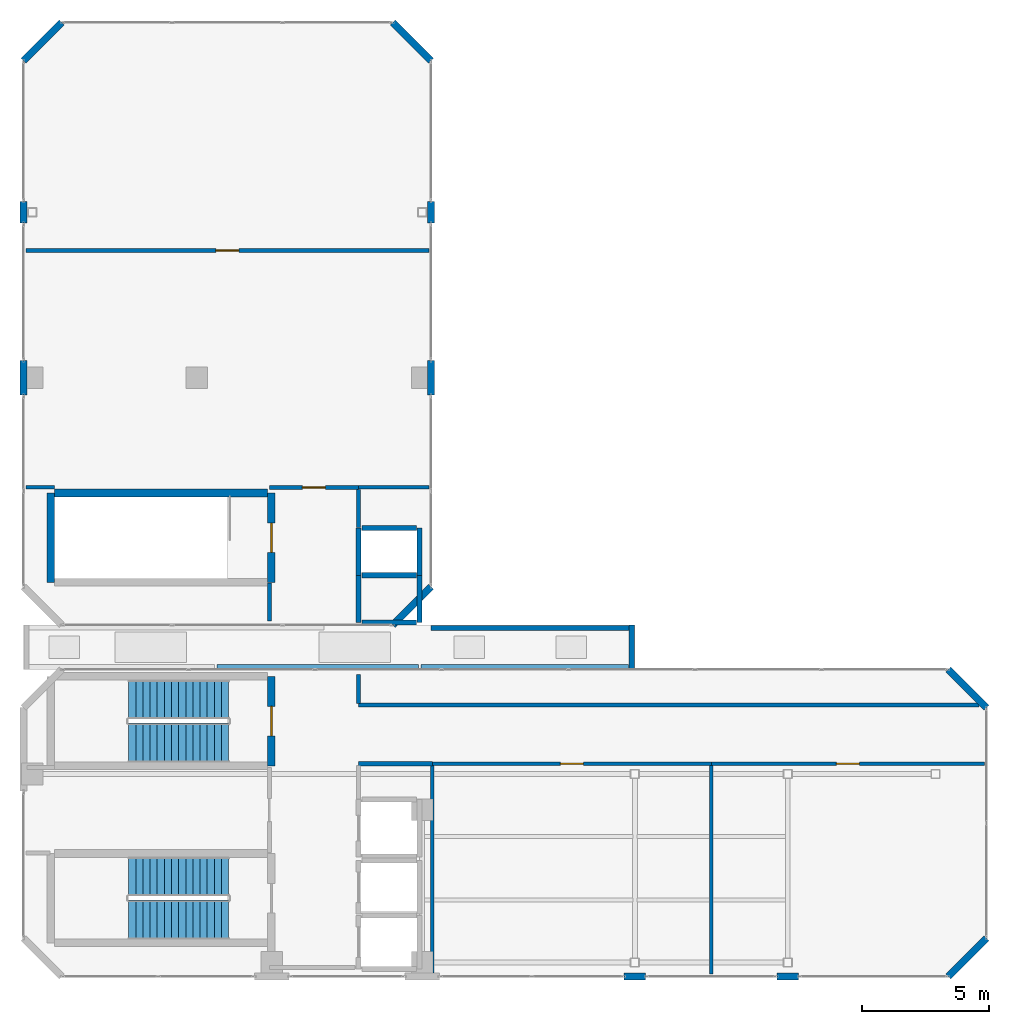
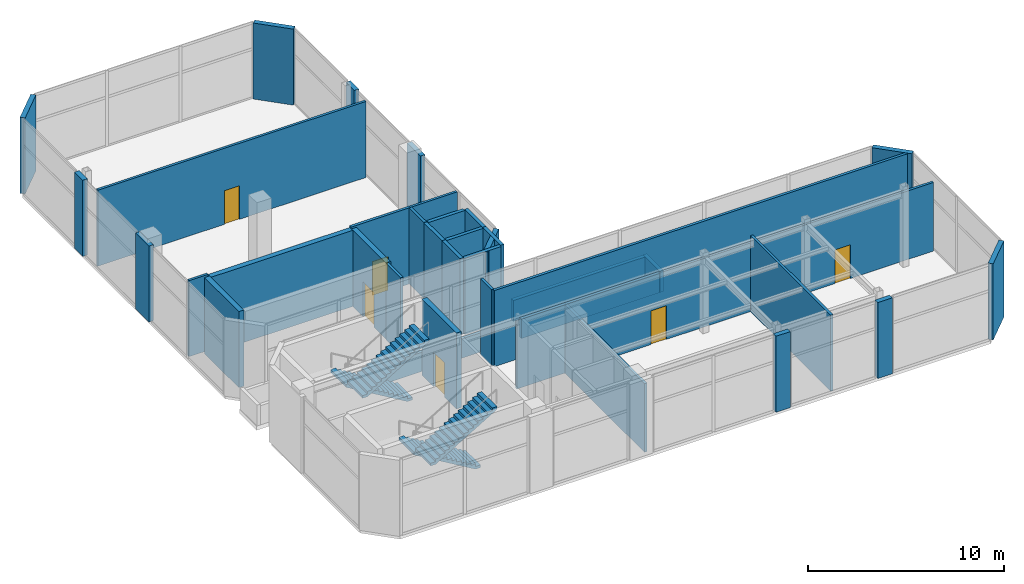
# One storey, part 17 of 18: 39 walls, 6 doors, 4 stair flights, 6 openings, 2 elements without a shape of their own.
"""IFC4 building model written with IfcOpenShell, lengths in metres."""

from ifc_helpers import new_model, si_unit, direction, frame, frame_2d, origin, place, context, subcontext, project, spatial, polyline, rectangle, outline, extrude, material, layer, layer_set, type_object, element, fill, aggregate, save


model = new_model("IFC4")

# Units and contexts
model_context = context("Model", 3, precision=1e-05, world=origin(), true_north=direction((0.0, 1.0)))
body_context = subcontext(model_context, "Body", "Model", "MODEL_VIEW")
ifc_project = project(units=[si_unit("LENGTHUNIT", "METRE"), si_unit("AREAUNIT", "SQUARE_METRE"), si_unit("VOLUMEUNIT", "CUBIC_METRE"), si_unit("PLANEANGLEUNIT", "RADIAN"), si_unit("MASSUNIT", "GRAM", prefix="KILO")], contexts=[model_context])

# Site, building, storey
site_placement = place(None, origin())
site = spatial("IfcSite", under=ifc_project, at=site_placement, CompositionType="ELEMENT")
building_placement = place(site_placement, origin())
building = spatial("IfcBuilding", under=site, at=building_placement, Name="Mawjaban Terraces University", CompositionType="ELEMENT")
storey_placement = place(building_placement, frame((0.0, 0.0, 316.699951171875)))
storey = spatial("IfcBuildingStorey", under=building, at=storey_placement, Name="L77", CompositionType="ELEMENT", Elevation=316.699951171875)

# Wall, opening, door
ifc_material_1 = material(Name="Fire-rated gypsum board on steel stud", Category="steel")
ifc_layer_1 = layer(ifc_material_1, 0.159912109375)
ifc_layer_set_1 = layer_set([ifc_layer_1], Name="Fire-rated gypsum board on steel stud")
wall_type_1 = type_object("IfcWallType", Name="CorridorPartition_160", PredefinedType="PARTITIONING", material=ifc_layer_set_1)
wall_1_placement = place(storey_placement, frame((31.64990234375, 19.199951171875, 0.0), z_axis=(0.0, 0.0, 1.0), x_axis=(1.0, 0.0, 0.0)))
wall_1 = element("IfcWall", 1, at=wall_1_placement, inside=storey, type_object=wall_type_1, Name="L77 North Peak AHU Ventilation Plant Room Partition 5", PredefinedType="PARTITIONING", context=body_context, shape_type="SweptSolid", body=[
    extrude(rectangle(XDim=3.5, YDim=0.159912109375, at=frame_2d((1.75, 0.0))), origin(), (0.0, 0.0, 1.0), 4.739990234375),
])
opening_1_placement = place(wall_1_placement, frame((1.300048828125, 0.0, 0.0)))
opening_1 = element("IfcOpeningElement", 2, at=opening_1_placement, cuts=wall_1, Name="Opening ID-090", PredefinedType="OPENING", context=body_context, shape_type="SweptSolid", body=[
    extrude(rectangle(XDim=0.89990234375, YDim=2.10009765625, at=frame_2d((0.449951171875, 1.050048828125))), frame((0.0, 0.08984375, 0.0), z_axis=(0.0, -1.0, 0.0), x_axis=(1.0, 0.0, 0.0)), (0.0, 0.0, 1.0), 0.179931640625),
])
ifc_material_2 = material(Name="Powder-coated steel frame and solid acoustic timber leaf", Category="steel")
door_type_1 = type_object("IfcDoorType", Name="OfficeDoor_900x2100", OperationType="NOTDEFINED", PredefinedType="DOOR", material=ifc_material_2)
door_1_placement = place(opening_1_placement, origin())
door_1 = element("IfcDoor", 3, at=door_1_placement, inside=storey, type_object=door_type_1, Name="L77 North Peak AHU Ventilation Plant Room Door", OperationType="SINGLE_SWING_LEFT", OverallHeight=2.10009765625, OverallWidth=0.89990234375, PredefinedType="DOOR", context=body_context, shape_type="SweptSolid", body=[
    extrude(rectangle(XDim=0.89990234375, YDim=2.10009765625, at=frame_2d((0.449951171875, 1.050048828125))), frame((0.0, 0.02490234375, 0.0), z_axis=(0.0, -1.0, 0.0), x_axis=(1.0, 0.0, 0.0)), (0.0, 0.0, 1.0), 0.050048828125),
])
fill(opening_1, door_1)

# Walls
wall_2_placement = place(storey_placement, frame((35.14990234375, 8.35009765625, 0.0), z_axis=(0.0, 0.0, 1.0), x_axis=(1.0, 0.0, 0.0)))
element("IfcWall", 4, at=wall_2_placement, inside=storey, type_object=wall_type_1, Name="L77 Crown Plant Service Corridor Partition 6", PredefinedType="PARTITIONING", context=body_context, shape_type="SweptSolid", body=[
    extrude(rectangle(XDim=2.900146484375, YDim=0.159912109375, at=frame_2d((1.4501953125, 0.0))), origin(), (0.0, 0.0, 1.0), 4.277099609375),
])
wall_3_placement = place(storey_placement, frame((59.512939453125, 10.64990234375, 0.0), z_axis=(0.0, 0.0, 1.0), x_axis=(-1.0, 0.0, 0.0)))
element("IfcWall", 5, at=wall_3_placement, inside=storey, type_object=wall_type_1, Name="L77 Crown Plant Service Corridor Partition 11", PredefinedType="PARTITIONING", context=body_context, shape_type="SweptSolid", body=[
    extrude(rectangle(XDim=24.363037109375, YDim=0.159912109375, at=frame_2d((12.181640625, 0.0))), origin(), (0.0, 0.0, 1.0), 4.739990234375),
])
wall_4_placement = place(storey_placement, frame((31.64990234375, 15.43994140625, 0.0), z_axis=(0.0, 0.0, 1.0), x_axis=(0.0, -1.0, 0.0)))
element("IfcWall", 6, at=wall_4_placement, inside=storey, type_object=wall_type_1, Name="L77 North Peak Stair and Shuttle Plant Lobby Partition 13", PredefinedType="PARTITIONING", context=body_context, shape_type="SweptSolid", body=[
    extrude(rectangle(XDim=1.489990234375, YDim=0.159912109375, at=frame_2d((0.7451171875, 0.0))), origin(), (0.0, 0.0, 1.0), 4.739990234375),
])
wall_5_placement = place(storey_placement, frame((35.14990234375, 10.72509765625, 0.0), z_axis=(0.0, 0.0, 1.0), x_axis=(0.0, 1.0, 0.0)))
element("IfcWall", 7, at=wall_5_placement, inside=storey, type_object=wall_type_1, Name="L77 East Peak Stair and Lift Plant Lobby Partition 15", PredefinedType="PARTITIONING", context=body_context, shape_type="SweptSolid", body=[
    extrude(rectangle(XDim=1.125, YDim=0.159912109375, at=frame_2d((0.5625, 0.0))), origin(), (0.0, 0.0, 1.0), 4.739990234375),
])
wall_6_placement = place(storey_placement, frame((35.14990234375, 17.6201171875, 0.0), z_axis=(0.0, 0.0, 1.0), x_axis=(0.0, 1.0, 0.0)))
element("IfcWall", 8, at=wall_6_placement, inside=storey, type_object=wall_type_1, Name="L77 North Peak Stair and Shuttle Plant Lobby Partition 16", PredefinedType="PARTITIONING", context=body_context, shape_type="SweptSolid", body=[
    extrude(rectangle(XDim=1.5048828125, YDim=0.159912109375, at=frame_2d((0.75244140625, 0.0))), origin(), (0.0, 0.0, 1.0), 4.739990234375),
])
ifc_material_3 = material(Name="Insulated terracotta rainscreen on concrete backup C40/50", Category="masonry")
ifc_layer_2 = layer(ifc_material_3, 0.27490234375)
ifc_layer_set_2 = layer_set([ifc_layer_2], Name="Insulated terracotta rainscreen on concrete backup C40/50")
wall_type_2 = type_object("IfcWallType", Name="ExtTerracottaWall_275", PredefinedType="SOLIDWALL", material=ifc_layer_set_2)
for number, where, z_axis, x_axis, name in (
    (9, (45.574951171875, 0.0, 0.0), (0.0, 0.0, 1.0), (1.0, 0.0, 0.0), "L77 Exterior Terracotta Pier Wall 1.3"),
    (10, (51.574951171875, 0.0, 0.0), (0.0, 0.0, 1.0), (1.0, 0.0, 0.0), "L77 Exterior Terracotta Pier Wall 1.4"),
):
    element("IfcWall", number, at=place(storey_placement, frame(where, z_axis=z_axis, x_axis=x_axis)), inside=storey, type_object=wall_type_2, Name=name, PredefinedType="SOLIDWALL", context=body_context, shape_type="SweptSolid", body=[
        extrude(rectangle(XDim=0.85009765625, YDim=0.27490234375, at=frame_2d((0.425048828125, 0.0))), origin(), (0.0, 0.0, 1.0), 4.739990234375),
    ])
for number, where, z_axis, x_axis, name in (
    (11, (58.300048828125, 0.0, 0.0), (0.0, 0.0, 1.0), (0.707106781187, 0.707106781187, 0.0), "L77 Exterior Terracotta Wall 2"),
    (12, (59.800048828125, 10.550048828125, 0.0), (0.0, 0.0, 1.0), (-0.707106781187, 0.707106781187, 0.0), "L77 Exterior Terracotta Wall 4"),
    (13, (36.5, 13.800048828125, 0.0), (0.0, 0.0, 1.0), (0.707106781187, 0.707106781187, 0.0), "L77 Exterior Terracotta Wall 2"),
):
    element("IfcWall", number, at=place(storey_placement, frame(where, z_axis=z_axis, x_axis=x_axis)), inside=storey, type_object=wall_type_2, Name=name, PredefinedType="SOLIDWALL", context=body_context, shape_type="SweptSolid", body=[
        extrude(rectangle(XDim=2.121337890625, YDim=0.27490234375, at=frame_2d((1.060546875, 0.0))), origin(), (0.0, 0.0, 1.0), 4.739990234375),
    ])
wall_7_placement = place(storey_placement, frame((38.0, 22.824951171875, 0.0), z_axis=(0.0, 0.0, 1.0), x_axis=(0.0, 1.0, 0.0)))
element("IfcWall", 14, at=wall_7_placement, inside=storey, type_object=wall_type_2, Name="L77 Exterior Terracotta Pier Wall 3.1", PredefinedType="SOLIDWALL", context=body_context, shape_type="SweptSolid", body=[
    extrude(rectangle(XDim=1.35009765625, YDim=0.27490234375, at=frame_2d((0.675048828125, 0.0))), origin(), (0.0, 0.0, 1.0), 4.739990234375),
])
wall_8_placement = place(storey_placement, frame((38.0, 29.574951171875, 0.0), z_axis=(0.0, 0.0, 1.0), x_axis=(0.0, 1.0, 0.0)))
element("IfcWall", 15, at=wall_8_placement, inside=storey, type_object=wall_type_2, Name="L77 Exterior Terracotta Pier Wall 3.2", PredefinedType="SOLIDWALL", context=body_context, shape_type="SweptSolid", body=[
    extrude(rectangle(XDim=0.85009765625, YDim=0.27490234375, at=frame_2d((0.425048828125, 0.0))), origin(), (0.0, 0.0, 1.0), 4.739990234375),
])
for number, where, z_axis, x_axis, name in (
    (16, (38.0, 35.949951171875, 0.0), (0.0, 0.0, 1.0), (-0.707106781187, 0.707106781187, 0.0), "L77 Exterior Terracotta Wall 4"),
    (17, (23.5, 37.449951171875, 0.0), (0.0, 0.0, 1.0), (-0.707106781187, -0.707106781187, 0.0), "L77 Exterior Terracotta Wall 6"),
):
    element("IfcWall", number, at=place(storey_placement, frame(where, z_axis=z_axis, x_axis=x_axis)), inside=storey, type_object=wall_type_2, Name=name, PredefinedType="SOLIDWALL", context=body_context, shape_type="SweptSolid", body=[
        extrude(rectangle(XDim=2.121337890625, YDim=0.27490234375, at=frame_2d((1.060546875, 0.0))), origin(), (0.0, 0.0, 1.0), 4.739990234375),
    ])
wall_9_placement = place(storey_placement, frame((22.0, 30.425048828125, 0.0), z_axis=(0.0, 0.0, 1.0), x_axis=(0.0, -1.0, 0.0)))
element("IfcWall", 18, at=wall_9_placement, inside=storey, type_object=wall_type_2, Name="L77 Exterior Terracotta Pier Wall 7.1", PredefinedType="SOLIDWALL", context=body_context, shape_type="SweptSolid", body=[
    extrude(rectangle(XDim=0.85009765625, YDim=0.27490234375, at=frame_2d((0.425048828125, 0.0))), origin(), (0.0, 0.0, 1.0), 4.739990234375),
])
wall_10_placement = place(storey_placement, frame((22.0, 24.175048828125, 0.0), z_axis=(0.0, 0.0, 1.0), x_axis=(0.0, -1.0, 0.0)))
element("IfcWall", 19, at=wall_10_placement, inside=storey, type_object=wall_type_2, Name="L77 Exterior Terracotta Pier Wall 7.2", PredefinedType="SOLIDWALL", context=body_context, shape_type="SweptSolid", body=[
    extrude(rectangle(XDim=1.35009765625, YDim=0.27490234375, at=frame_2d((0.675048828125, 0.0))), origin(), (0.0, 0.0, 1.0), 4.739990234375),
])
ifc_material_4 = material(Name="Concrete C40/50", Category="concrete")
ifc_layer_3 = layer(ifc_material_4, 0.199951171875)
ifc_layer_set_3 = layer_set([ifc_layer_3], Name="Concrete C40/50")
wall_type_3 = type_object("IfcWallType", Name="FireLobbyWall_200", PredefinedType="SOLIDWALL", material=ifc_layer_set_3)
for number, where, z_axis, x_axis, name in (
    (20, (35.14990234375, 15.75, 0.0), (0.0, 0.0, 1.0), (0.0, -1.0, 0.0), "L77 Lift OL-1 Hoistway Wall West"),
    (21, (37.550048828125, 13.89990234375, 0.0), (0.0, 0.0, 1.0), (0.0, 1.0, 0.0), "L77 Lift OL-1 Hoistway Wall East"),
):
    element("IfcWall", number, at=place(storey_placement, frame(where, z_axis=z_axis, x_axis=x_axis)), inside=storey, type_object=wall_type_3, Name=name, PredefinedType="SOLIDWALL", context=body_context, shape_type="SweptSolid", body=[
        extrude(rectangle(XDim=1.85009765625, YDim=0.199951171875, at=frame_2d((0.925048828125, 0.0))), origin(), (0.0, 0.0, 1.0), 4.739990234375),
    ])
for number, where, z_axis, x_axis, name in (
    (22, (35.280029296875, 13.89990234375, 0.0), (0.0, 0.0, 1.0), (1.0, 0.0, 0.0), "L77 Lift OL-1 Hoistway Wall South"),
    (23, (37.419921875, 15.75, 0.0), (0.0, 0.0, 1.0), (-1.0, 0.0, 0.0), "L77 Lift OL-1 Hoistway Wall North"),
):
    element("IfcWall", number, at=place(storey_placement, frame(where, z_axis=z_axis, x_axis=x_axis)), inside=storey, type_object=wall_type_3, Name=name, PredefinedType="SOLIDWALL", context=body_context, shape_type="SweptSolid", body=[
        extrude(rectangle(XDim=2.139892578125, YDim=0.199951171875, at=frame_2d((1.06982421875, 0.0))), origin(), (0.0, 0.0, 1.0), 4.739990234375),
    ])
for number, where, z_axis, x_axis, name in (
    (24, (35.14990234375, 17.60009765625, 0.0), (0.0, 0.0, 1.0), (0.0, -1.0, 0.0), "L77 Lift OL-2 Hoistway Wall West"),
    (25, (37.550048828125, 15.75, 0.0), (0.0, 0.0, 1.0), (0.0, 1.0, 0.0), "L77 Lift OL-2 Hoistway Wall East"),
):
    element("IfcWall", number, at=place(storey_placement, frame(where, z_axis=z_axis, x_axis=x_axis)), inside=storey, type_object=wall_type_3, Name=name, PredefinedType="SOLIDWALL", context=body_context, shape_type="SweptSolid", body=[
        extrude(rectangle(XDim=1.85009765625, YDim=0.199951171875, at=frame_2d((0.925048828125, 0.0))), origin(), (0.0, 0.0, 1.0), 4.739990234375),
    ])
wall_11_placement = place(storey_placement, frame((37.419921875, 17.60009765625, 0.0), z_axis=(0.0, 0.0, 1.0), x_axis=(-1.0, 0.0, 0.0)))
element("IfcWall", 26, at=wall_11_placement, inside=storey, type_object=wall_type_3, Name="L77 Lift OL-2 Hoistway Wall North", PredefinedType="SOLIDWALL", context=body_context, shape_type="SweptSolid", body=[
    extrude(rectangle(XDim=2.139892578125, YDim=0.199951171875, at=frame_2d((1.06982421875, 0.0))), origin(), (0.0, 0.0, 1.0), 4.739990234375),
])
ifc_material_5 = material(Name="Moisture-resistant gypsum board on steel stud", Category="steel")
ifc_layer_4 = layer(ifc_material_5, 0.14501953125)
ifc_layer_set_4 = layer_set([ifc_layer_4], Name="Moisture-resistant gypsum board on steel stud")
wall_type_4 = type_object("IfcWallType", Name="LabPartition_145", PredefinedType="PARTITIONING", material=ifc_layer_set_4)
wall_12_placement = place(storey_placement, frame((22.090087890625, 19.199951171875, 0.0), z_axis=(0.0, 0.0, 1.0), x_axis=(1.0, 0.0, 0.0)))
element("IfcWall", 27, at=wall_12_placement, inside=storey, type_object=wall_type_4, Name="L77 North Peak AHU Ventilation Plant Room Partition 2", PredefinedType="PARTITIONING", context=body_context, shape_type="SweptSolid", body=[
    extrude(rectangle(XDim=1.1298828125, YDim=0.14501953125, at=frame_2d((0.56494140625, 0.0))), origin(), (0.0, 0.0, 1.0), 4.739990234375),
])
wall_13_placement = place(storey_placement, frame((35.14990234375, 19.199951171875, 0.0), z_axis=(0.0, 0.0, 1.0), x_axis=(1.0, 0.0, 0.0)))
element("IfcWall", 28, at=wall_13_placement, inside=storey, type_object=wall_type_4, Name="L77 North Peak AHU Ventilation Plant Room Partition 7", PredefinedType="PARTITIONING", context=body_context, shape_type="SweptSolid", body=[
    extrude(rectangle(XDim=2.760009765625, YDim=0.14501953125, at=frame_2d((1.3798828125, 0.0))), origin(), (0.0, 0.0, 1.0), 4.739990234375),
])

# Wall, opening, door
wall_14_placement = place(storey_placement, frame((37.909912109375, 28.5, 0.0), z_axis=(0.0, 0.0, 1.0), x_axis=(-1.0, 0.0, 0.0)))
wall_14 = element("IfcWall", 29, at=wall_14_placement, inside=storey, type_object=wall_type_4, Name="L77 North Peak AHU Ventilation Plant Room Partition 8", PredefinedType="PARTITIONING", context=body_context, shape_type="SweptSolid", body=[
    extrude(rectangle(XDim=15.81982421875, YDim=0.14501953125, at=frame_2d((7.909912109375, 0.0))), origin(), (0.0, 0.0, 1.0), 4.739990234375),
])
opening_2_placement = place(wall_14_placement, frame((7.4599609375, 0.0, 0.0)))
opening_2 = element("IfcOpeningElement", 30, at=opening_2_placement, cuts=wall_14, Name="Opening ID-090", PredefinedType="OPENING", context=body_context, shape_type="SweptSolid", body=[
    extrude(rectangle(XDim=0.89990234375, YDim=2.10009765625, at=frame_2d((0.449951171875, 1.050048828125))), frame((0.0, 0.08251953125, 0.0), z_axis=(0.0, -1.0, 0.0), x_axis=(1.0, 0.0, 0.0)), (0.0, 0.0, 1.0), 0.1650390625),
])
door_2_placement = place(opening_2_placement, origin())
door_2 = element("IfcDoor", 31, at=door_2_placement, inside=storey, type_object=door_type_1, Name="L77 North Peak Makeup Water and Pump Room Door", OperationType="SINGLE_SWING_RIGHT", OverallHeight=2.10009765625, OverallWidth=0.89990234375, PredefinedType="DOOR", context=body_context, shape_type="SweptSolid", body=[
    extrude(rectangle(XDim=0.89990234375, YDim=2.10009765625, at=frame_2d((0.449951171875, 1.050048828125))), frame((0.0, 0.02490234375, 0.0), z_axis=(0.0, -1.0, 0.0), x_axis=(1.0, 0.0, 0.0)), (0.0, 0.0, 1.0), 0.050048828125),
])
fill(opening_2, door_2)

wall_15_placement = place(storey_placement, frame((38.050048828125, 8.35009765625, 0.0), z_axis=(0.0, 0.0, 1.0), x_axis=(1.0, 0.0, 0.0)))
wall_15 = element("IfcWall", 32, at=wall_15_placement, inside=storey, type_object=wall_type_4, Name="L77 Crown Plant Service Corridor Partition 9", PredefinedType="PARTITIONING", context=body_context, shape_type="SweptSolid", body=[
    extrude(rectangle(XDim=10.949951171875, YDim=0.14501953125, at=frame_2d((5.47509765625, 0.0))), origin(), (0.0, 0.0, 1.0), 4.277099609375),
])
opening_3_placement = place(wall_15_placement, frame((5.02490234375, 0.0, 0.0)))
opening_3 = element("IfcOpeningElement", 33, at=opening_3_placement, cuts=wall_15, Name="Opening ID-090", PredefinedType="OPENING", context=body_context, shape_type="SweptSolid", body=[
    extrude(rectangle(XDim=0.89990234375, YDim=2.10009765625, at=frame_2d((0.449951171875, 1.050048828125))), frame((0.0, 0.08251953125, 0.0), z_axis=(0.0, -1.0, 0.0), x_axis=(1.0, 0.0, 0.0)), (0.0, 0.0, 1.0), 0.1650390625),
])
door_3_placement = place(opening_3_placement, origin())
door_3 = element("IfcDoor", 34, at=door_3_placement, inside=storey, type_object=door_type_1, Name="L77 Crown Chiller and Cooling Plant Room Door", OperationType="SINGLE_SWING_LEFT", OverallHeight=2.10009765625, OverallWidth=0.89990234375, PredefinedType="DOOR", context=body_context, shape_type="SweptSolid", body=[
    extrude(rectangle(XDim=0.89990234375, YDim=2.10009765625, at=frame_2d((0.449951171875, 1.050048828125))), frame((0.0, 0.02490234375, 0.0), z_axis=(0.0, -1.0, 0.0), x_axis=(1.0, 0.0, 0.0)), (0.0, 0.0, 1.0), 0.050048828125),
])
fill(opening_3, door_3)

wall_16_placement = place(storey_placement, frame((49.0, 8.35009765625, 0.0), z_axis=(0.0, 0.0, 1.0), x_axis=(1.0, 0.0, 0.0)))
wall_16 = element("IfcWall", 35, at=wall_16_placement, inside=storey, type_object=wall_type_4, Name="L77 Crown Plant Service Corridor Partition 10", PredefinedType="PARTITIONING", context=body_context, shape_type="SweptSolid", body=[
    extrude(rectangle(XDim=10.719970703125, YDim=0.14501953125, at=frame_2d((5.35986328125, 0.0))), origin(), (0.0, 0.0, 1.0), 4.277099609375),
])
opening_4_placement = place(wall_16_placement, frame((4.909912109375, 0.0, 0.0)))
opening_4 = element("IfcOpeningElement", 36, at=opening_4_placement, cuts=wall_16, Name="Opening ID-090", PredefinedType="OPENING", context=body_context, shape_type="SweptSolid", body=[
    extrude(rectangle(XDim=0.89990234375, YDim=2.10009765625, at=frame_2d((0.449951171875, 1.050048828125))), frame((0.0, 0.08251953125, 0.0), z_axis=(0.0, -1.0, 0.0), x_axis=(1.0, 0.0, 0.0)), (0.0, 0.0, 1.0), 0.1650390625),
])
door_4_placement = place(opening_4_placement, origin())
door_4 = element("IfcDoor", 37, at=door_4_placement, inside=storey, type_object=door_type_1, Name="L77 Crown Emergency Switchgear and Fan Room Door", OperationType="SINGLE_SWING_RIGHT", OverallHeight=2.10009765625, OverallWidth=0.89990234375, PredefinedType="DOOR", context=body_context, shape_type="SweptSolid", body=[
    extrude(rectangle(XDim=0.89990234375, YDim=2.10009765625, at=frame_2d((0.449951171875, 1.050048828125))), frame((0.0, 0.02490234375, 0.0), z_axis=(0.0, -1.0, 0.0), x_axis=(1.0, 0.0, 0.0)), (0.0, 0.0, 1.0), 0.050048828125),
])
fill(opening_4, door_4)

# Walls
wall_17_placement = place(storey_placement, frame((38.050048828125, 8.27490234375, 0.0), z_axis=(0.0, 0.0, 1.0), x_axis=(0.0, -1.0, 0.0)))
element("IfcWall", 38, at=wall_17_placement, inside=storey, type_object=wall_type_4, Name="L77 Crown Chiller and Cooling Plant Room Partition 17", PredefinedType="PARTITIONING", context=body_context, shape_type="SweptSolid", body=[
    extrude(rectangle(XDim=8.141845703125, YDim=0.14501953125, at=frame_2d((4.07080078125, 0.0))), origin(), (0.0, 0.0, 1.0), 4.277099609375),
])
wall_18_placement = place(storey_placement, frame((49.0, 0.090087890625, 0.0), z_axis=(0.0, 0.0, 1.0), x_axis=(0.0, 1.0, 0.0)))
element("IfcWall", 39, at=wall_18_placement, inside=storey, type_object=wall_type_4, Name="L77 Crown Chiller and Cooling Plant Room Partition 18", PredefinedType="PARTITIONING", context=body_context, shape_type="SweptSolid", body=[
    extrude(rectangle(XDim=8.19189453125, YDim=0.14501953125, at=frame_2d((4.095947265625, 0.0))), origin(), (0.0, 0.0, 1.0), 4.739990234375),
])
ifc_material_6 = material(Name="Architectural glazed terracotta parapet", Category="masonry")
ifc_layer_5 = layer(ifc_material_6, 0.18994140625)
ifc_layer_set_5 = layer_set([ifc_layer_5], Name="Architectural glazed terracotta parapet")
wall_type_5 = type_object("IfcWallType", Name="ParapetWall_190", PredefinedType="PARAPET", material=ifc_layer_set_5)
wall_19_placement = place(storey_placement, frame((29.60009765625, 12.14501953125, 0.0), z_axis=(0.0, 0.0, 1.0), x_axis=(1.0, 0.0, 0.0)))
element("IfcWall", 40, at=wall_19_placement, inside=storey, type_object=wall_type_5, Name="L77 Sky-Slot Kerb Parapet 2", PredefinedType="PARAPET", context=body_context, shape_type="SweptSolid", body=[
    extrude(rectangle(XDim=7.89990234375, YDim=0.18994140625, at=frame_2d((3.949951171875, 0.0))), origin(), (0.0, 0.0, 1.0), 1.199951171875),
])
wall_20_placement = place(storey_placement, frame((37.60009765625, 12.14501953125, 0.0), z_axis=(0.0, 0.0, 1.0), x_axis=(1.0, 0.0, 0.0)))
element("IfcWall", 41, at=wall_20_placement, inside=storey, type_object=wall_type_5, Name="L77 Sky-Slot Kerb Parapet 3", PredefinedType="PARAPET", context=body_context, shape_type="SweptSolid", body=[
    extrude(rectangle(XDim=8.14990234375, YDim=0.18994140625, at=frame_2d((4.074951171875, 0.0))), origin(), (0.0, 0.0, 1.0), 1.199951171875),
])
ifc_layer_6 = layer(ifc_material_6, 0.215087890625)
ifc_layer_set_6 = layer_set([ifc_layer_6], Name="Architectural glazed terracotta parapet")
wall_type_6 = type_object("IfcWallType", Name="ParapetWall_215", PredefinedType="PARAPET", material=ifc_layer_set_6)
wall_21_placement = place(storey_placement, frame((45.8798828125, 12.050048828125, 0.0), z_axis=(0.0, 0.0, 1.0), x_axis=(0.0, 1.0, 0.0)))
element("IfcWall", 42, at=wall_21_placement, inside=storey, type_object=wall_type_6, Name="L77 Sky-Slot East Parapet Wall", PredefinedType="PARAPET", context=body_context, shape_type="SweptSolid", body=[
    extrude(rectangle(XDim=1.75, YDim=0.215087890625, at=frame_2d((0.875, 0.0))), origin(), (0.0, 0.0, 1.0), 1.300048828125),
])
wall_22_placement = place(storey_placement, frame((38.0, 13.679931640625, 0.0), z_axis=(0.0, 0.0, 1.0), x_axis=(1.0, 0.0, 0.0)))
element("IfcWall", 43, at=wall_22_placement, inside=storey, type_object=wall_type_6, Name="L77 Sky-Slot North Parapet Wall", PredefinedType="PARAPET", context=body_context, shape_type="SweptSolid", body=[
    extrude(rectangle(XDim=7.8798828125, YDim=0.215087890625, at=frame_2d((3.93994140625, 0.0))), origin(), (0.0, 0.0, 1.0), 1.300048828125),
])
ifc_material_7 = material(Name="Concrete C60/75", Category="concrete")
ifc_layer_7 = layer(ifc_material_7, 0.300048828125)
ifc_layer_set_7 = layer_set([ifc_layer_7], Name="Concrete C60/75")
wall_type_7 = type_object("IfcWallType", Name="StairShaftWall_300", PredefinedType="SHEAR", material=ifc_layer_set_7)
wall_23_placement = place(storey_placement, frame((31.580078125, 18.97998046875, 0.0), z_axis=(0.0, 0.0, 1.0), x_axis=(-1.0, 0.0, 0.0)))
element("IfcWall", 44, at=wall_23_placement, inside=storey, type_object=wall_type_7, Name="L77 ST-2 Stair Shaft Wall 1", PredefinedType="SHEAR", context=body_context, shape_type="SweptSolid", body=[
    extrude(rectangle(XDim=8.360107421875, YDim=0.300048828125, at=frame_2d((4.18017578125, 0.0))), origin(), (0.0, 0.0, 1.0), 4.739990234375),
])
wall_24_placement = place(storey_placement, frame((23.070068359375, 18.97998046875, 0.0), z_axis=(0.0, 0.0, 1.0), x_axis=(0.0, -1.0, 0.0)))
element("IfcWall", 45, at=wall_24_placement, inside=storey, type_object=wall_type_7, Name="L77 ST-2 Stair Shaft Wall 2", PredefinedType="SHEAR", context=body_context, shape_type="SweptSolid", body=[
    extrude(rectangle(XDim=3.510009765625, YDim=0.300048828125, at=frame_2d((1.7548828125, 0.0))), origin(), (0.0, 0.0, 1.0), 4.739990234375),
])

# Wall, opening, door
wall_25_placement = place(storey_placement, frame((31.72998046875, 15.469970703125, 0.0), z_axis=(0.0, 0.0, 1.0), x_axis=(0.0, 1.0, 0.0)))
wall_25 = element("IfcWall", 46, at=wall_25_placement, inside=storey, type_object=wall_type_7, Name="L77 ST-2 Stair Shaft Wall 4", PredefinedType="SHEAR", context=body_context, shape_type="SweptSolid", body=[
    extrude(rectangle(XDim=3.510009765625, YDim=0.300048828125, at=frame_2d((1.7548828125, 0.0))), origin(), (0.0, 0.0, 1.0), 4.739990234375),
])
opening_5_placement = place(wall_25_placement, frame((1.179931640625, 0.0, 0.0)))
opening_5 = element("IfcOpeningElement", 47, at=opening_5_placement, cuts=wall_25, Name="Opening FD-115", PredefinedType="OPENING", context=body_context, shape_type="SweptSolid", body=[
    extrude(rectangle(XDim=1.14990234375, YDim=2.14990234375, at=frame_2d((0.574951171875, 1.074951171875))), frame((0.0, 0.159912109375, 0.0), z_axis=(0.0, -1.0, 0.0), x_axis=(1.0, 0.0, 0.0)), (0.0, 0.0, 1.0), 0.320068359375),
])
ifc_material_8 = material(Name="Powder-coated steel frame and fire-rated steel-faced leaf", Category="steel")
door_type_2 = type_object("IfcDoorType", Name="FireStairDoor_1150x2150", OperationType="NOTDEFINED", PredefinedType="DOOR", material=ifc_material_8)
door_5_placement = place(opening_5_placement, origin())
door_5 = element("IfcDoor", 48, at=door_5_placement, inside=storey, type_object=door_type_2, Name="L77 ST-2 Pressurised Stair Fire Door", OperationType="SINGLE_SWING_RIGHT", OverallHeight=2.14990234375, OverallWidth=1.14990234375, PredefinedType="DOOR", context=body_context, shape_type="SweptSolid", body=[
    extrude(rectangle(XDim=1.14990234375, YDim=2.14990234375, at=frame_2d((0.574951171875, 1.074951171875))), frame((0.0, 0.02490234375, 0.0), z_axis=(0.0, -1.0, 0.0), x_axis=(1.0, 0.0, 0.0)), (0.0, 0.0, 1.0), 0.050048828125),
])
fill(opening_5, door_5)

wall_26_placement = place(storey_placement, frame((31.72998046875, 8.27001953125, 0.0), z_axis=(0.0, 0.0, 1.0), x_axis=(0.0, 1.0, 0.0)))
wall_26 = element("IfcWall", 49, at=wall_26_placement, inside=storey, type_object=wall_type_7, Name="L77 ST-3 Stair Shaft Wall 4", PredefinedType="SHEAR", context=body_context, shape_type="SweptSolid", body=[
    extrude(rectangle(XDim=3.510009765625, YDim=0.300048828125, at=frame_2d((1.7548828125, 0.0))), origin(), (0.0, 0.0, 1.0), 4.739990234375),
])
opening_6_placement = place(wall_26_placement, frame((1.179931640625, 0.0, 0.0)))
opening_6 = element("IfcOpeningElement", 50, at=opening_6_placement, cuts=wall_26, Name="Opening FD-115", PredefinedType="OPENING", context=body_context, shape_type="SweptSolid", body=[
    extrude(rectangle(XDim=1.14990234375, YDim=2.14990234375, at=frame_2d((0.574951171875, 1.074951171875))), frame((0.0, 0.159912109375, 0.0), z_axis=(0.0, -1.0, 0.0), x_axis=(1.0, 0.0, 0.0)), (0.0, 0.0, 1.0), 0.320068359375),
])
door_6_placement = place(opening_6_placement, origin())
door_6 = element("IfcDoor", 51, at=door_6_placement, inside=storey, type_object=door_type_2, Name="L77 ST-3 Pressurised Stair Fire Door", OperationType="SINGLE_SWING_LEFT", OverallHeight=2.14990234375, OverallWidth=1.14990234375, PredefinedType="DOOR", context=body_context, shape_type="SweptSolid", body=[
    extrude(rectangle(XDim=1.14990234375, YDim=2.14990234375, at=frame_2d((0.574951171875, 1.074951171875))), frame((0.0, 0.02490234375, 0.0), z_axis=(0.0, -1.0, 0.0), x_axis=(1.0, 0.0, 0.0)), (0.0, 0.0, 1.0), 0.050048828125),
])
fill(opening_6, door_6)

# Stair, stair flights
stair_type = type_object("IfcStairType", Name="Stair_Core1550_H50", PredefinedType="HALF_TURN_STAIR", material=ifc_material_4)
stair_1_placement = place(storey_placement, origin())
stair_1 = element("IfcStair", 52, at=stair_1_placement, inside=storey, type_object=stair_type, Name="L77 Core Exit Stair 1", PredefinedType="HALF_TURN_STAIR")
stair_flight_type = type_object("IfcStairFlightType", Name="Flight_Core1550_H50", PredefinedType="STRAIGHT", material=ifc_material_4)
stair_flight_1_placement = place(storey_placement, frame((30.050048828125, 3.925048828125, 0.0), z_axis=(0.0, 0.0, 1.0), x_axis=(-1.0, 0.0, 0.0)))
stair_flight_1 = element("IfcStairFlight", 53, at=stair_flight_1_placement, type_object=stair_flight_type, Name="ST-1 flight 1", NumberOfRisers=15, NumberOfTreads=14, PredefinedType="STRAIGHT", RiserHeight=0.166666667, TreadLength=0.28, context=body_context, shape_type="SweptSolid", body=[
    extrude(outline(polyline([(0.0, 0.0), (0.0, 0.166748046875), (0.280029296875, 0.166748046875), (0.280029296875, 0.333251953125), (0.56005859375, 0.333251953125), (0.56005859375, 0.5), (0.840087890625, 0.5), (0.840087890625, 0.666748046875), (1.1201171875, 0.666748046875), (1.1201171875, 0.833251953125), (1.39990234375, 0.833251953125), (1.39990234375, 1.0), (1.679931640625, 1.0), (1.679931640625, 1.166748046875), (1.9599609375, 1.166748046875), (1.9599609375, 1.333251953125), (2.239990234375, 1.333251953125), (2.239990234375, 1.5), (2.52001953125, 1.5), (2.52001953125, 1.666748046875), (2.800048828125, 1.666748046875), (2.800048828125, 1.833251953125), (3.080078125, 1.833251953125), (3.080078125, 2.0), (3.360107421875, 2.0), (3.360107421875, 2.166748046875), (3.639892578125, 2.166748046875), (3.639892578125, 2.333251953125), (3.919921875, 2.333251953125), (3.919921875, 2.5), (3.919921875, 2.158935546875), (0.29296875, 0.0), (0.0, 0.0)])), frame((0.0, 0.77490234375, 0.0), z_axis=(0.0, -1.0, 0.0), x_axis=(1.0, 0.0, 0.0)), (0.0, 0.0, 1.0), 1.550048828125),
])
stair_flight_2_placement = place(storey_placement, frame((26.1298828125, 2.22509765625, 2.5), z_axis=(0.0, 0.0, 1.0), x_axis=(1.0, 0.0, 0.0)))
stair_flight_2 = element("IfcStairFlight", 54, at=stair_flight_2_placement, type_object=stair_flight_type, Name="ST-1 flight 2", NumberOfRisers=15, NumberOfTreads=14, PredefinedType="STRAIGHT", RiserHeight=0.166666667, TreadLength=0.28, context=body_context, shape_type="SweptSolid", body=[
    extrude(outline(polyline([(0.0, 0.0), (0.0, 0.166748046875), (0.280029296875, 0.166748046875), (0.280029296875, 0.333251953125), (0.56005859375, 0.333251953125), (0.56005859375, 0.5), (0.840087890625, 0.5), (0.840087890625, 0.666748046875), (1.1201171875, 0.666748046875), (1.1201171875, 0.833251953125), (1.39990234375, 0.833251953125), (1.39990234375, 1.0), (1.679931640625, 1.0), (1.679931640625, 1.166748046875), (1.9599609375, 1.166748046875), (1.9599609375, 1.333251953125), (2.239990234375, 1.333251953125), (2.239990234375, 1.5), (2.52001953125, 1.5), (2.52001953125, 1.666748046875), (2.800048828125, 1.666748046875), (2.800048828125, 1.833251953125), (3.080078125, 1.833251953125), (3.080078125, 2.0), (3.360107421875, 2.0), (3.360107421875, 2.166748046875), (3.639892578125, 2.166748046875), (3.639892578125, 2.333251953125), (3.919921875, 2.333251953125), (3.919921875, 2.5), (3.919921875, 2.158935546875), (0.29296875, 0.0), (0.0, 0.0)])), frame((0.0, 0.77490234375, 0.0), z_axis=(0.0, -1.0, 0.0), x_axis=(1.0, 0.0, 0.0)), (0.0, 0.0, 1.0), 1.550048828125),
])
aggregate(stair_1, [stair_flight_1, stair_flight_2])

stair_2_placement = place(storey_placement, origin())
stair_2 = element("IfcStair", 55, at=stair_2_placement, inside=storey, type_object=stair_type, Name="L77 Core Exit Stair 3", PredefinedType="HALF_TURN_STAIR")
stair_flight_3_placement = place(storey_placement, frame((30.050048828125, 10.875, 0.0), z_axis=(0.0, 0.0, 1.0), x_axis=(-1.0, 0.0, 0.0)))
stair_flight_3 = element("IfcStairFlight", 56, at=stair_flight_3_placement, type_object=stair_flight_type, Name="ST-3 flight 1", NumberOfRisers=15, NumberOfTreads=14, PredefinedType="STRAIGHT", RiserHeight=0.166666667, TreadLength=0.28, context=body_context, shape_type="SweptSolid", body=[
    extrude(outline(polyline([(0.0, 0.0), (0.0, 0.166748046875), (0.280029296875, 0.166748046875), (0.280029296875, 0.333251953125), (0.56005859375, 0.333251953125), (0.56005859375, 0.5), (0.840087890625, 0.5), (0.840087890625, 0.666748046875), (1.1201171875, 0.666748046875), (1.1201171875, 0.833251953125), (1.39990234375, 0.833251953125), (1.39990234375, 1.0), (1.679931640625, 1.0), (1.679931640625, 1.166748046875), (1.9599609375, 1.166748046875), (1.9599609375, 1.333251953125), (2.239990234375, 1.333251953125), (2.239990234375, 1.5), (2.52001953125, 1.5), (2.52001953125, 1.666748046875), (2.800048828125, 1.666748046875), (2.800048828125, 1.833251953125), (3.080078125, 1.833251953125), (3.080078125, 2.0), (3.360107421875, 2.0), (3.360107421875, 2.166748046875), (3.639892578125, 2.166748046875), (3.639892578125, 2.333251953125), (3.919921875, 2.333251953125), (3.919921875, 2.5), (3.919921875, 2.158935546875), (0.29296875, 0.0), (0.0, 0.0)])), frame((0.0, 0.77490234375, 0.0), z_axis=(0.0, -1.0, 0.0), x_axis=(1.0, 0.0, 0.0)), (0.0, 0.0, 1.0), 1.550048828125),
])
stair_flight_4_placement = place(storey_placement, frame((26.1298828125, 9.175048828125, 2.5), z_axis=(0.0, 0.0, 1.0), x_axis=(1.0, 0.0, 0.0)))
stair_flight_4 = element("IfcStairFlight", 57, at=stair_flight_4_placement, type_object=stair_flight_type, Name="ST-3 flight 2", NumberOfRisers=15, NumberOfTreads=14, PredefinedType="STRAIGHT", RiserHeight=0.166666667, TreadLength=0.28, context=body_context, shape_type="SweptSolid", body=[
    extrude(outline(polyline([(0.0, 0.0), (0.0, 0.166748046875), (0.280029296875, 0.166748046875), (0.280029296875, 0.333251953125), (0.56005859375, 0.333251953125), (0.56005859375, 0.5), (0.840087890625, 0.5), (0.840087890625, 0.666748046875), (1.1201171875, 0.666748046875), (1.1201171875, 0.833251953125), (1.39990234375, 0.833251953125), (1.39990234375, 1.0), (1.679931640625, 1.0), (1.679931640625, 1.166748046875), (1.9599609375, 1.166748046875), (1.9599609375, 1.333251953125), (2.239990234375, 1.333251953125), (2.239990234375, 1.5), (2.52001953125, 1.5), (2.52001953125, 1.666748046875), (2.800048828125, 1.666748046875), (2.800048828125, 1.833251953125), (3.080078125, 1.833251953125), (3.080078125, 2.0), (3.360107421875, 2.0), (3.360107421875, 2.166748046875), (3.639892578125, 2.166748046875), (3.639892578125, 2.333251953125), (3.919921875, 2.333251953125), (3.919921875, 2.5), (3.919921875, 2.158935546875), (0.29296875, 0.0), (0.0, 0.0)])), frame((0.0, 0.77490234375, 0.0), z_axis=(0.0, -1.0, 0.0), x_axis=(1.0, 0.0, 0.0)), (0.0, 0.0, 1.0), 1.550048828125),
])
aggregate(stair_2, [stair_flight_3, stair_flight_4])

save(model, "model.ifc")
